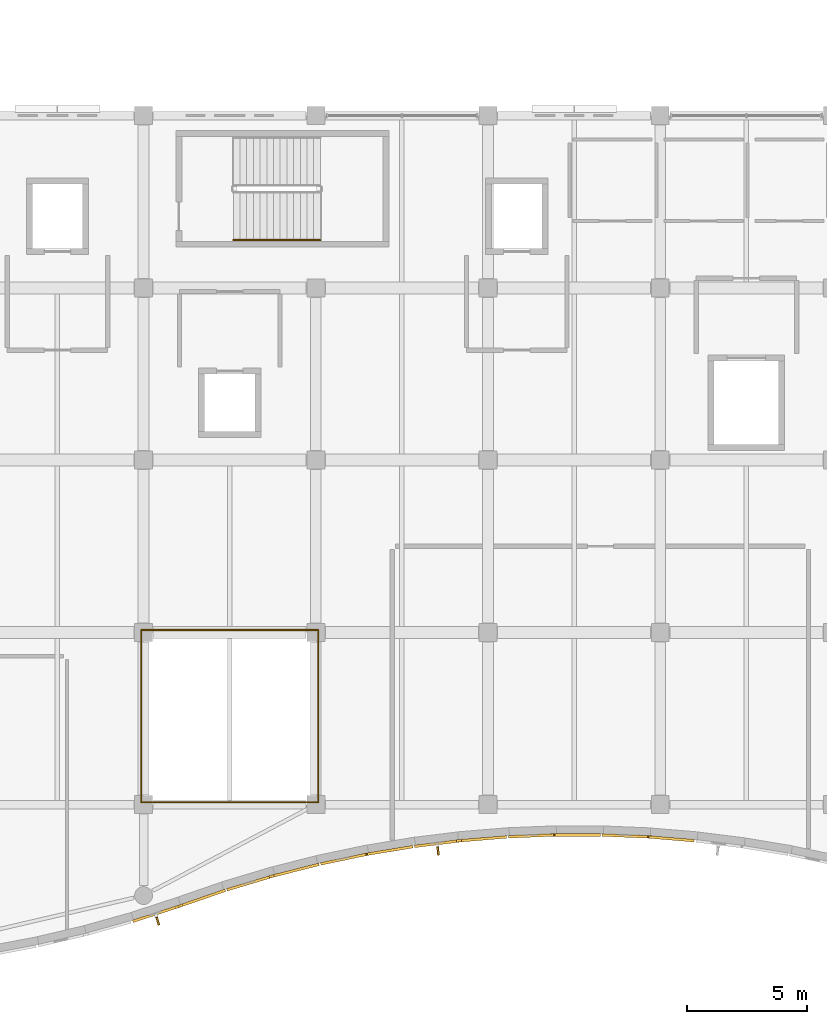
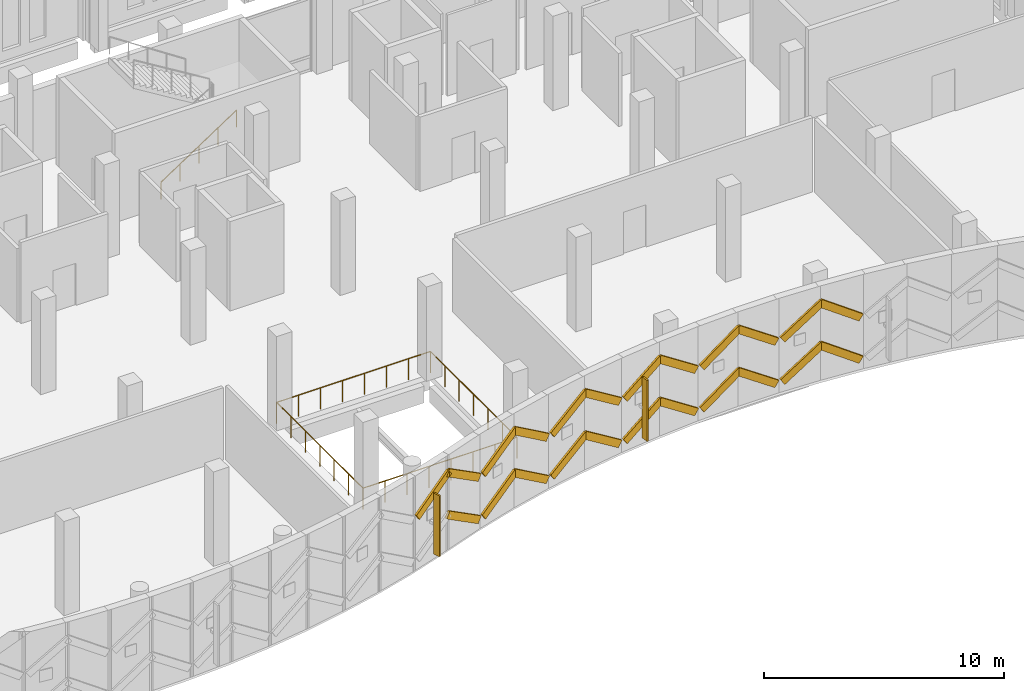
# One storey, part 181 of 193: 23 coverings, 5 railings, 2 shading devices.
"""IFC4 building model written with IfcOpenShell, lengths in metres."""

from ifc_helpers import new_model, si_unit, direction, frame, origin, origin_2d, place, context, subcontext, project, spatial, polyline, rectangle, circle, outline, extrude, material, layer, layer_set, type_object, element, save


model = new_model("IFC4")

# Units and contexts
model_context = context("Model", 3, precision=1e-05, world=origin(), true_north=direction((0.0, 1.0)))
body_context = subcontext(model_context, "Body", "Model", "MODEL_VIEW")
ifc_project = project(units=[si_unit("LENGTHUNIT", "METRE"), si_unit("AREAUNIT", "SQUARE_METRE"), si_unit("VOLUMEUNIT", "CUBIC_METRE"), si_unit("PLANEANGLEUNIT", "RADIAN"), si_unit("MASSUNIT", "GRAM", prefix="KILO")], contexts=[model_context])

# Site, building, storey
site_placement = place(None, origin())
site = spatial("IfcSite", under=ifc_project, at=site_placement, CompositionType="ELEMENT")
building_placement = place(site_placement, origin())
building = spatial("IfcBuilding", under=site, at=building_placement, Name="Cendralis Lancet Convention Centre", CompositionType="ELEMENT")
storey_placement = place(building_placement, frame((0.0, 0.0, 10.199951171875)))
storey = spatial("IfcBuildingStorey", under=building, at=storey_placement, Name="L02", CompositionType="ELEMENT", Elevation=10.199951171875)

# Coverings
ifc_material_1 = material(Name="Warm buff sandstone chevron cassette", Category="masonry")
ifc_layer_1 = layer(ifc_material_1, 0.06005859375, Name="Warm buff sandstone chevron cassette")
ifc_layer_set_1 = layer_set([ifc_layer_1], Name="Warm buff sandstone chevron cassette")
covering_type_1 = type_object("IfcCoveringType", Name="ARC-CV-CLAD1", PredefinedType="CLADDING", material=ifc_layer_set_1)
covering_1_placement = place(storey_placement, frame((169.539306640625, 2.909423828125, 2.0), z_axis=(0.514522159667, 0.17754637904, 0.838894648035), x_axis=(0.793084635802, 0.273424590897, -0.544293811786)))
element("IfcCovering", 1, at=covering_1_placement, inside=storey, type_object=covering_type_1, Name="L02 Diagonal Stone Chevron Relief CL-ST1 #0507", PredefinedType="CLADDING", context=body_context, shape_type="SweptSolid", body=[
    extrude(outline(polyline([(0.0, 0.0), (2.3885056195295804, 1.9618638311125203e-16), (2.388480090784282, 0.1100218552492794), (-2.552874529859056e-05, 0.11002185524927931), (0.0, 0.0)])), origin(), (0.0, 0.0, -1.0), 0.360107421875),
])
covering_2_placement = place(storey_placement, frame((171.49951171875, 3.58349609375, 0.699951171875), z_axis=(-0.526600427836, -0.157858230104, 0.835327940746), x_axis=(0.800155868582, 0.239840269118, 0.549751972514)))
element("IfcCovering", 2, at=covering_2_placement, inside=storey, type_object=covering_type_1, Name="L02 Diagonal Stone Chevron Relief CL-ST1 #0513", PredefinedType="CLADDING", context=body_context, shape_type="SweptSolid", body=[
    extrude(outline(polyline([(0.0, 0.0), (2.364693891677105, 2.6156377411212794e-18), (2.364789323613613, 0.11007054501910996), (-9.991861734520019e-05, 0.11014064466546918), (0.0, 0.0)])), origin(), (0.0, 0.0, -1.0), 0.360107421875),
])
covering_3_placement = place(storey_placement, frame((173.4580078125, 4.1689453125, 2.0), z_axis=(0.53729207941, 0.13663097552, 0.832255488376), x_axis=(0.806641328387, 0.204887729162, -0.554392267061)))
element("IfcCovering", 3, at=covering_3_placement, inside=storey, type_object=covering_type_1, Name="L02 Diagonal Stone Chevron Relief CL-ST1 #0519", PredefinedType="CLADDING", context=body_context, shape_type="SweptSolid", body=[
    extrude(outline(polyline([(0.0, 0.0), (2.3450231653887803, 4.9087253359281213e-17), (2.3449728388418096, 0.10984075095593482), (-3.0512871817059417e-07, 0.11007737259819038), (0.0, 0.0)])), origin(), (0.0, 0.0, -1.0), 0.360107421875),
])
covering_4_placement = place(storey_placement, frame((175.41650390625, 4.664794921875, 0.699951171875), z_axis=(-0.546472617656, -0.114493130539, 0.829613766286), x_axis=(0.812035786702, 0.169873194888, 0.558337692418)))
element("IfcCovering", 4, at=covering_4_placement, inside=storey, type_object=covering_type_1, Name="L02 Diagonal Stone Chevron Relief CL-ST1 #0525", PredefinedType="CLADDING", context=body_context, shape_type="SweptSolid", body=[
    extrude(outline(polyline([(0.0, 0.0), (2.3283075976710568, 5.64327230778705e-17), (2.3283995556212016, 0.11022286772289225), (-0.00014776592231336913, 0.11003391817299688), (0.0, 0.0)])), origin(), (0.0, 0.0, -1.0), 0.360107421875),
])
covering_5_placement = place(storey_placement, frame((177.375, 5.072998046875, 2.0), z_axis=(0.553593347687, 0.092680234613, 0.827613907271), x_axis=(0.816436027079, 0.13556318949, -0.561297457097)))
element("IfcCovering", 5, at=covering_5_placement, inside=storey, type_object=covering_type_1, Name="L02 Diagonal Stone Chevron Relief CL-ST1 #0531", PredefinedType="CLADDING", context=body_context, shape_type="SweptSolid", body=[
    extrude(outline(polyline([(0.0, 0.0), (2.3160498658322064, -1.8865117801247777e-17), (2.3160277352949628, 0.11013446218138472), (-0.00022145573916698344, 0.11017455377341297), (0.0, 0.0)])), origin(), (0.0, 0.0, -1.0), 0.360107421875),
])
covering_6_placement = place(storey_placement, frame((179.334228515625, 5.39697265625, 0.699951171875), z_axis=(-0.559621487397, -0.069483204811, 0.825830415456), x_axis=(0.81961520542, 0.101128219842, 0.563918432218)))
element("IfcCovering", 6, at=covering_6_placement, inside=storey, type_object=covering_type_1, Name="L02 Diagonal Stone Chevron Relief CL-ST1 #0537", PredefinedType="CLADDING", context=body_context, shape_type="SweptSolid", body=[
    extrude(outline(polyline([(0.0, 0.0), (2.305484568228546, -2.1358782797964437e-17), (2.3053151011303066, 0.1099837772044363), (3.063427027140235e-05, 0.10995382173086979), (0.0, 0.0)])), origin(), (0.0, 0.0, -1.0), 0.360107421875),
])
covering_7_placement = place(storey_placement, frame((181.29248046875, 5.63720703125, 2.0), z_axis=(0.56372015037, 0.04582580287, 0.824693632726), x_axis=(0.821922877014, 0.067546590766, -0.565579563206)))
element("IfcCovering", 7, at=covering_7_placement, inside=storey, type_object=covering_type_1, Name="L02 Diagonal Stone Chevron Relief CL-ST1 #0543", PredefinedType="CLADDING", context=body_context, shape_type="SweptSolid", body=[
    extrude(outline(polyline([(0.0, 0.0), (2.29871385522789, -4.380176776841438e-17), (2.2986936581586126, 0.10999067963624164), (0.00018046769561864875, 0.10997075205301722), (0.0, 0.0)])), origin(), (0.0, 0.0, -1.0), 0.360107421875),
])
covering_8_placement = place(storey_placement, frame((183.250732421875, 5.796875, 0.699951171875), z_axis=(-0.566129438513, -0.02327421025, 0.823987724415), x_axis=(0.823310188219, 0.033409062922, 0.566607596569)))
element("IfcCovering", 8, at=covering_8_placement, inside=storey, type_object=covering_type_1, Name="L02 Diagonal Stone Chevron Relief CL-ST1 #0549", PredefinedType="CLADDING", context=body_context, shape_type="SweptSolid", body=[
    extrude(outline(polyline([(0.0, 0.0), (2.294543489727777, -1.6263032587282567e-18), (2.2943948531893668, 0.10996104298841451), (5.23669255104919e-05, 0.1099511025582232), (0.0, 0.0)])), origin(), (0.0, 0.0, -1.0), 0.360107421875),
])
covering_9_placement = place(storey_placement, frame((185.208984375, 5.875, 2.0), z_axis=(0.56694897815, 0.0, 0.823752909661), x_axis=(0.823752909661, 0.0, -0.56694897815)))
element("IfcCovering", 9, at=covering_9_placement, inside=storey, type_object=covering_type_1, Name="L02 Diagonal Stone Chevron Relief CL-ST1 #0555", PredefinedType="CLADDING", context=body_context, shape_type="SweptSolid", body=[
    extrude(outline(polyline([(0.0, 0.0), (2.293061418626595, 0.0), (2.293061418626595, 0.110107421875), (0.0, 0.110107421875), (0.0, 0.0)])), origin(), (0.0, 0.0, -1.0), 0.360107421875),
])
covering_10_placement = place(storey_placement, frame((187.1669921875, 5.87353515625, 0.699951171875), z_axis=(-0.565914812039, 0.023265386717, 0.824135393789), x_axis=(0.823423354599, -0.034251680165, 0.566392797894)))
element("IfcCovering", 10, at=covering_10_placement, inside=storey, type_object=covering_type_1, Name="L02 Diagonal Stone Chevron Relief CL-ST1 #0561", PredefinedType="CLADDING", context=body_context, shape_type="SweptSolid", body=[
    extrude(outline(polyline([(0.0, 0.0), (2.295212616638772, -1.9949319973733282e-17), (2.295269205423734, 0.10996112890130944), (-0.0001444423074694356, 0.10995102016854641), (0.0, 0.0)])), origin(), (0.0, 0.0, -1.0), 0.360107421875),
])
covering_11_placement = place(storey_placement, frame((189.1259765625, 5.79052734375, 2.0), z_axis=(0.563628151376, -0.046445972385, 0.824721818934), x_axis=(0.821916092115, -0.06797083589, -0.565538595492)))
element("IfcCovering", 11, at=covering_11_placement, inside=storey, type_object=covering_type_1, Name="L02 Diagonal Stone Chevron Relief CL-ST1 #0567", PredefinedType="CLADDING", context=body_context, shape_type="SweptSolid", body=[
    extrude(outline(polyline([(0.0, 0.0), (2.298780027549156, -6.288372600415926e-18), (2.2987536579430996, 0.10999069985551012), (-2.6369606056305013e-05, 0.10999069985551013), (0.0, 0.0)])), origin(), (0.0, 0.0, -1.0), 0.360107421875),
])
ifc_material_2 = material(Name="Dark Andean slate chevron cassette", Category="masonry")
ifc_layer_2 = layer(ifc_material_2, 0.06005859375, Name="Dark Andean slate chevron cassette")
ifc_layer_set_2 = layer_set([ifc_layer_2], Name="Dark Andean slate chevron cassette")
covering_type_2 = type_object("IfcCoveringType", Name="ARC-CV-CLAD2", PredefinedType="CLADDING", material=ifc_layer_set_2)
covering_12_placement = place(storey_placement, frame((167.566162109375, 2.265380859375, 2.85009765625), z_axis=(-0.51986468046, -0.16924416085, 0.837315429231), x_axis=(0.796035143938, 0.259663721455, 0.546720039304)))
element("IfcCovering", 12, at=covering_12_placement, inside=storey, type_object=covering_type_2, Name="L02 Diagonal Stone Chevron Relief CL-ST2 #0502", PredefinedType="CLADDING", context=body_context, shape_type="SweptSolid", body=[
    extrude(outline(polyline([(0.0, 0.0), (2.377840388623247, 4.629543276513104e-17), (2.377959330951202, 0.10986456485642952), (-1.2007726361507043e-05, 0.11017235356771374), (0.0, 0.0)])), origin(), (0.0, 0.0, -1.0), 0.360107421875),
])
covering_13_placement = place(storey_placement, frame((169.539306640625, 2.909423828125, 4.150146484375), z_axis=(0.514522159667, 0.17754637904, 0.838894648035), x_axis=(0.793084635802, 0.273424590897, -0.544293811786)))
element("IfcCovering", 13, at=covering_13_placement, inside=storey, type_object=covering_type_2, Name="L02 Diagonal Stone Chevron Relief CL-ST2 #0508", PredefinedType="CLADDING", context=body_context, shape_type="SweptSolid", body=[
    extrude(outline(polyline([(0.0, 0.0), (2.3885056195295804, 1.9618638311125203e-16), (2.388480090784282, 0.1100218552492794), (-2.552874529859056e-05, 0.11002185524927931), (0.0, 0.0)])), origin(), (0.0, 0.0, -1.0), 0.360107421875),
])
covering_14_placement = place(storey_placement, frame((171.49951171875, 3.58349609375, 2.85009765625), z_axis=(-0.526600427836, -0.157858230104, 0.835327940746), x_axis=(0.800155868582, 0.239840269118, 0.549751972514)))
element("IfcCovering", 14, at=covering_14_placement, inside=storey, type_object=covering_type_2, Name="L02 Diagonal Stone Chevron Relief CL-ST2 #0514", PredefinedType="CLADDING", context=body_context, shape_type="SweptSolid", body=[
    extrude(outline(polyline([(0.0, 0.0), (2.364693891677105, 2.6156377411212794e-18), (2.364789323613613, 0.11007054501910996), (-9.991861734520019e-05, 0.11014064466546918), (0.0, 0.0)])), origin(), (0.0, 0.0, -1.0), 0.360107421875),
])
covering_15_placement = place(storey_placement, frame((173.4580078125, 4.1689453125, 4.150146484375), z_axis=(0.53729207941, 0.13663097552, 0.832255488376), x_axis=(0.806641328387, 0.204887729162, -0.554392267061)))
element("IfcCovering", 15, at=covering_15_placement, inside=storey, type_object=covering_type_2, Name="L02 Diagonal Stone Chevron Relief CL-ST2 #0520", PredefinedType="CLADDING", context=body_context, shape_type="SweptSolid", body=[
    extrude(outline(polyline([(0.0, 0.0), (2.3450231653887803, 4.9087253359281213e-17), (2.3449728388418096, 0.10984075095593482), (-3.0512871817059417e-07, 0.11007737259819038), (0.0, 0.0)])), origin(), (0.0, 0.0, -1.0), 0.360107421875),
])
covering_16_placement = place(storey_placement, frame((175.41650390625, 4.664794921875, 2.85009765625), z_axis=(-0.546472617656, -0.114493130539, 0.829613766286), x_axis=(0.812035786702, 0.169873194888, 0.558337692418)))
element("IfcCovering", 16, at=covering_16_placement, inside=storey, type_object=covering_type_2, Name="L02 Diagonal Stone Chevron Relief CL-ST2 #0526", PredefinedType="CLADDING", context=body_context, shape_type="SweptSolid", body=[
    extrude(outline(polyline([(0.0, 0.0), (2.3283075976710568, 5.64327230778705e-17), (2.3283995556212016, 0.11022286772289225), (-0.00014776592231336913, 0.11003391817299688), (0.0, 0.0)])), origin(), (0.0, 0.0, -1.0), 0.360107421875),
])
covering_17_placement = place(storey_placement, frame((177.375, 5.072998046875, 4.150146484375), z_axis=(0.553593347687, 0.092680234613, 0.827613907271), x_axis=(0.816436027079, 0.13556318949, -0.561297457097)))
element("IfcCovering", 17, at=covering_17_placement, inside=storey, type_object=covering_type_2, Name="L02 Diagonal Stone Chevron Relief CL-ST2 #0532", PredefinedType="CLADDING", context=body_context, shape_type="SweptSolid", body=[
    extrude(outline(polyline([(0.0, 0.0), (2.3160498658322064, -1.8865117801247777e-17), (2.3160277352949628, 0.11013446218138472), (-0.00022145573916698344, 0.11017455377341297), (0.0, 0.0)])), origin(), (0.0, 0.0, -1.0), 0.360107421875),
])
covering_18_placement = place(storey_placement, frame((179.334228515625, 5.39697265625, 2.85009765625), z_axis=(-0.559621487397, -0.069483204811, 0.825830415456), x_axis=(0.81961520542, 0.101128219842, 0.563918432218)))
element("IfcCovering", 18, at=covering_18_placement, inside=storey, type_object=covering_type_2, Name="L02 Diagonal Stone Chevron Relief CL-ST2 #0538", PredefinedType="CLADDING", context=body_context, shape_type="SweptSolid", body=[
    extrude(outline(polyline([(0.0, 0.0), (2.305484568228546, -2.1358782797964437e-17), (2.3053151011303066, 0.1099837772044363), (3.063427027140235e-05, 0.10995382173086979), (0.0, 0.0)])), origin(), (0.0, 0.0, -1.0), 0.360107421875),
])
covering_19_placement = place(storey_placement, frame((181.29248046875, 5.63720703125, 4.150146484375), z_axis=(0.56372015037, 0.04582580287, 0.824693632726), x_axis=(0.821922877014, 0.067546590766, -0.565579563206)))
element("IfcCovering", 19, at=covering_19_placement, inside=storey, type_object=covering_type_2, Name="L02 Diagonal Stone Chevron Relief CL-ST2 #0544", PredefinedType="CLADDING", context=body_context, shape_type="SweptSolid", body=[
    extrude(outline(polyline([(0.0, 0.0), (2.29871385522789, -4.380176776841438e-17), (2.2986936581586126, 0.10999067963624164), (0.00018046769561864875, 0.10997075205301722), (0.0, 0.0)])), origin(), (0.0, 0.0, -1.0), 0.360107421875),
])
covering_20_placement = place(storey_placement, frame((183.250732421875, 5.796875, 2.85009765625), z_axis=(-0.566129438513, -0.02327421025, 0.823987724415), x_axis=(0.823310188219, 0.033409062922, 0.566607596569)))
element("IfcCovering", 20, at=covering_20_placement, inside=storey, type_object=covering_type_2, Name="L02 Diagonal Stone Chevron Relief CL-ST2 #0550", PredefinedType="CLADDING", context=body_context, shape_type="SweptSolid", body=[
    extrude(outline(polyline([(0.0, 0.0), (2.294543489727777, -1.6263032587282567e-18), (2.2943948531893668, 0.10996104298841451), (5.23669255104919e-05, 0.1099511025582232), (0.0, 0.0)])), origin(), (0.0, 0.0, -1.0), 0.360107421875),
])
covering_21_placement = place(storey_placement, frame((185.208984375, 5.875, 4.150146484375), z_axis=(0.56694897815, 0.0, 0.823752909661), x_axis=(0.823752909661, 0.0, -0.56694897815)))
element("IfcCovering", 21, at=covering_21_placement, inside=storey, type_object=covering_type_2, Name="L02 Diagonal Stone Chevron Relief CL-ST2 #0556", PredefinedType="CLADDING", context=body_context, shape_type="SweptSolid", body=[
    extrude(outline(polyline([(0.0, 0.0), (2.293061418626595, 0.0), (2.293061418626595, 0.110107421875), (0.0, 0.110107421875), (0.0, 0.0)])), origin(), (0.0, 0.0, -1.0), 0.360107421875),
])
covering_22_placement = place(storey_placement, frame((187.1669921875, 5.87353515625, 2.85009765625), z_axis=(-0.565914812039, 0.023265386717, 0.824135393789), x_axis=(0.823423354599, -0.034251680165, 0.566392797894)))
element("IfcCovering", 22, at=covering_22_placement, inside=storey, type_object=covering_type_2, Name="L02 Diagonal Stone Chevron Relief CL-ST2 #0562", PredefinedType="CLADDING", context=body_context, shape_type="SweptSolid", body=[
    extrude(outline(polyline([(0.0, 0.0), (2.295212616638772, -1.9949319973733282e-17), (2.295269205423734, 0.10996112890130944), (-0.0001444423074694356, 0.10995102016854641), (0.0, 0.0)])), origin(), (0.0, 0.0, -1.0), 0.360107421875),
])
covering_23_placement = place(storey_placement, frame((189.1259765625, 5.79052734375, 4.150146484375), z_axis=(0.563628151376, -0.046445972385, 0.824721818934), x_axis=(0.821916092115, -0.06797083589, -0.565538595492)))
element("IfcCovering", 23, at=covering_23_placement, inside=storey, type_object=covering_type_2, Name="L02 Diagonal Stone Chevron Relief CL-ST2 #0568", PredefinedType="CLADDING", context=body_context, shape_type="SweptSolid", body=[
    extrude(outline(polyline([(0.0, 0.0), (2.298780027549156, -6.288372600415926e-18), (2.2987536579430996, 0.10999069985551012), (-2.6369606056305013e-05, 0.10999069985551013), (0.0, 0.0)])), origin(), (0.0, 0.0, -1.0), 0.360107421875),
])

# Railings
ifc_material_3 = material(Name="Steel S355", Category="steel")
railing_type_1 = type_object("IfcRailingType", Name="ARC-RL-CHR", PredefinedType="HANDRAIL", material=ifc_material_3)
railing_1_placement = place(storey_placement, frame((171.75, 30.800048828125, 0.17138671875)))
element("IfcRailing", 24, at=railing_1_placement, inside=storey, type_object=railing_type_1, Name="L02 ST-14 stair handrail 1", PredefinedType="HANDRAIL", context=body_context, shape_type="SweptSolid", body=[
    extrude(circle(Radius=0.02392578125, at=origin_2d()), frame((0.0, 0.0, 0.8759765625), z_axis=(0.834839479206, 0.0, 0.550493454965), x_axis=(0.0, 1.0, 0.0)), (0.0, 0.0, 1.0), 4.360107421875),
    extrude(circle(Radius=0.02099609375, at=origin_2d()), origin(), (0.0, 0.0, 1.0), 0.851806640625),
    extrude(circle(Radius=0.02099609375, at=origin_2d()), frame((0.909912109375, 0.0, 0.60009765625)), (0.0, 0.0, 1.0), 0.851806640625),
    extrude(circle(Radius=0.02099609375, at=origin_2d()), frame((1.81982421875, 0.0, 1.2001953125)), (0.0, 0.0, 1.0), 0.851806640625),
    extrude(circle(Radius=0.02099609375, at=origin_2d()), frame((2.72998046875, 0.0, 1.800048828125)), (0.0, 0.0, 1.0), 0.851806640625),
    extrude(circle(Radius=0.02099609375, at=origin_2d()), frame((3.639892578125, 0.0, 2.400146484375)), (0.0, 0.0, 1.0), 0.851806640625),
])
railing_type_2 = type_object("IfcRailingType", Name="ARC-RL-IG01", PredefinedType="GUARDRAIL", material=ifc_material_3)
railing_2_placement = place(storey_placement, frame((167.89990234375, 7.300048828125, 0.0)))
element("IfcRailing", 25, at=railing_2_placement, inside=storey, type_object=railing_type_2, Name="L02 Atrium Void Guardrail GD-IN1 #029", PredefinedType="GUARDRAIL", context=body_context, shape_type="SweptSolid", body=[
    extrude(circle(Radius=0.02392578125, at=origin_2d()), frame((0.0, 0.0, 1.076171875), z_axis=(1.0, 0.0, 0.0), x_axis=(0.0, 1.0, 0.0)), (0.0, 0.0, 1.0), 7.400146484375),
    extrude(circle(Radius=0.02099609375, at=origin_2d()), origin(), (0.0, 0.0, 1.0), 1.052001953125),
    extrude(circle(Radius=0.02099609375, at=origin_2d()), frame((1.05712890625, 0.0, 0.0)), (0.0, 0.0, 1.0), 1.052001953125),
    extrude(circle(Radius=0.02099609375, at=origin_2d()), frame((2.1142578125, 0.0, 0.0)), (0.0, 0.0, 1.0), 1.052001953125),
    extrude(circle(Radius=0.02099609375, at=origin_2d()), frame((3.17138671875, 0.0, 0.0)), (0.0, 0.0, 1.0), 1.052001953125),
    extrude(circle(Radius=0.02099609375, at=origin_2d()), frame((4.228759765625, 0.0, 0.0)), (0.0, 0.0, 1.0), 1.052001953125),
    extrude(circle(Radius=0.02099609375, at=origin_2d()), frame((5.285888671875, 0.0, 0.0)), (0.0, 0.0, 1.0), 1.052001953125),
    extrude(circle(Radius=0.02099609375, at=origin_2d()), frame((6.343017578125, 0.0, 0.0)), (0.0, 0.0, 1.0), 1.052001953125),
    extrude(circle(Radius=0.02099609375, at=origin_2d()), frame((7.400146484375, 0.0, 0.0)), (0.0, 0.0, 1.0), 1.052001953125),
])
railing_3_placement = place(storey_placement, frame((175.300048828125, 7.300048828125, 0.0)))
element("IfcRailing", 26, at=railing_3_placement, inside=storey, type_object=railing_type_2, Name="L02 Atrium Void Guardrail GD-IN1 #030", PredefinedType="GUARDRAIL", context=body_context, shape_type="SweptSolid", body=[
    extrude(circle(Radius=0.02392578125, at=origin_2d()), frame((0.0, 0.0, 1.076171875), z_axis=(0.0, 1.0, 0.0), x_axis=(-1.0, 0.0, 0.0)), (0.0, 0.0, 1.0), 7.199951171875),
    extrude(circle(Radius=0.02099609375, at=origin_2d()), origin(), (0.0, 0.0, 1.0), 1.052001953125),
    extrude(circle(Radius=0.02099609375, at=origin_2d()), frame((0.0, 1.199951171875, 0.0)), (0.0, 0.0, 1.0), 1.052001953125),
    extrude(circle(Radius=0.02099609375, at=origin_2d()), frame((0.0, 2.39990234375, 0.0)), (0.0, 0.0, 1.0), 1.052001953125),
    extrude(circle(Radius=0.02099609375, at=origin_2d()), frame((0.0, 3.60009765625, 0.0)), (0.0, 0.0, 1.0), 1.052001953125),
    extrude(circle(Radius=0.02099609375, at=origin_2d()), frame((0.0, 4.800048828125, 0.0)), (0.0, 0.0, 1.0), 1.052001953125),
    extrude(circle(Radius=0.02099609375, at=origin_2d()), frame((0.0, 6.0, 0.0)), (0.0, 0.0, 1.0), 1.052001953125),
    extrude(circle(Radius=0.02099609375, at=origin_2d()), frame((0.0, 7.199951171875, 0.0)), (0.0, 0.0, 1.0), 1.052001953125),
])
railing_4_placement = place(storey_placement, frame((175.300048828125, 14.5, 0.0)))
element("IfcRailing", 27, at=railing_4_placement, inside=storey, type_object=railing_type_2, Name="L02 Atrium Void Guardrail GD-IN1 #031", PredefinedType="GUARDRAIL", context=body_context, shape_type="SweptSolid", body=[
    extrude(circle(Radius=0.02392578125, at=origin_2d()), frame((0.0, 0.0, 1.076171875), z_axis=(-1.0, 0.0, 0.0), x_axis=(0.0, -1.0, 0.0)), (0.0, 0.0, 1.0), 7.400146484375),
    extrude(circle(Radius=0.02099609375, at=origin_2d()), origin(), (0.0, 0.0, 1.0), 1.052001953125),
    extrude(circle(Radius=0.02099609375, at=origin_2d()), frame((-1.05712890625, 0.0, 0.0)), (0.0, 0.0, 1.0), 1.052001953125),
    extrude(circle(Radius=0.02099609375, at=origin_2d()), frame((-2.1142578125, 0.0, 0.0)), (0.0, 0.0, 1.0), 1.052001953125),
    extrude(circle(Radius=0.02099609375, at=origin_2d()), frame((-3.17138671875, 0.0, 0.0)), (0.0, 0.0, 1.0), 1.052001953125),
    extrude(circle(Radius=0.02099609375, at=origin_2d()), frame((-4.228759765625, 0.0, 0.0)), (0.0, 0.0, 1.0), 1.052001953125),
    extrude(circle(Radius=0.02099609375, at=origin_2d()), frame((-5.285888671875, 0.0, 0.0)), (0.0, 0.0, 1.0), 1.052001953125),
    extrude(circle(Radius=0.02099609375, at=origin_2d()), frame((-6.343017578125, 0.0, 0.0)), (0.0, 0.0, 1.0), 1.052001953125),
    extrude(circle(Radius=0.02099609375, at=origin_2d()), frame((-7.400146484375, 0.0, 0.0)), (0.0, 0.0, 1.0), 1.052001953125),
])
railing_5_placement = place(storey_placement, frame((167.89990234375, 14.5, 0.0)))
element("IfcRailing", 28, at=railing_5_placement, inside=storey, type_object=railing_type_2, Name="L02 Atrium Void Guardrail GD-IN1 #032", PredefinedType="GUARDRAIL", context=body_context, shape_type="SweptSolid", body=[
    extrude(circle(Radius=0.02392578125, at=origin_2d()), frame((0.0, 0.0, 1.076171875), z_axis=(0.0, -1.0, 0.0), x_axis=(1.0, 0.0, 0.0)), (0.0, 0.0, 1.0), 7.199951171875),
    extrude(circle(Radius=0.02099609375, at=origin_2d()), origin(), (0.0, 0.0, 1.0), 1.052001953125),
    extrude(circle(Radius=0.02099609375, at=origin_2d()), frame((0.0, -1.199951171875, 0.0)), (0.0, 0.0, 1.0), 1.052001953125),
    extrude(circle(Radius=0.02099609375, at=origin_2d()), frame((0.0, -2.39990234375, 0.0)), (0.0, 0.0, 1.0), 1.052001953125),
    extrude(circle(Radius=0.02099609375, at=origin_2d()), frame((0.0, -3.60009765625, 0.0)), (0.0, 0.0, 1.0), 1.052001953125),
    extrude(circle(Radius=0.02099609375, at=origin_2d()), frame((0.0, -4.800048828125, 0.0)), (0.0, 0.0, 1.0), 1.052001953125),
    extrude(circle(Radius=0.02099609375, at=origin_2d()), frame((0.0, -6.0, 0.0)), (0.0, 0.0, 1.0), 1.052001953125),
    extrude(circle(Radius=0.02099609375, at=origin_2d()), frame((0.0, -7.199951171875, 0.0)), (0.0, 0.0, 1.0), 1.052001953125),
])

# Shading devices
ifc_material_4 = material(Name="Anodised bronze architectural aluminium", Category="aluminium")
shading_device_type = type_object("IfcShadingDeviceType", Name="ARC-SH-FIN1", PredefinedType="USERDEFINED", material=ifc_material_4)
for number, where, z_axis, x_axis, name in (
    (29, (168.591796875, 2.33154296875, 0.449951171875), (0.0, 0.0, 1.0), (0.950737803638, 0.309996175353, 0.0), "Anodised Bronze Lancet Solar Fin SF-01 #030"),
    (30, (180.310302734375, 5.260498046875, 0.449951171875), (0.0, 0.0, 1.0), (0.992471520713, 0.122475632571, 0.0), "Anodised Bronze Lancet Solar Fin SF-01 #032"),
):
    element("IfcShadingDevice", number, at=place(storey_placement, frame(where, z_axis=z_axis, x_axis=x_axis)), inside=storey, type_object=shading_device_type, Name=name, ObjectType="FIN", PredefinedType="USERDEFINED", context=body_context, shape_type="SweptSolid", body=[
        extrude(rectangle(XDim=0.080078125, YDim=0.340087890625, at=origin_2d()), origin(), (0.0, 0.0, 1.0), 3.10009765625),
    ])

save(model, "model.ifc")
